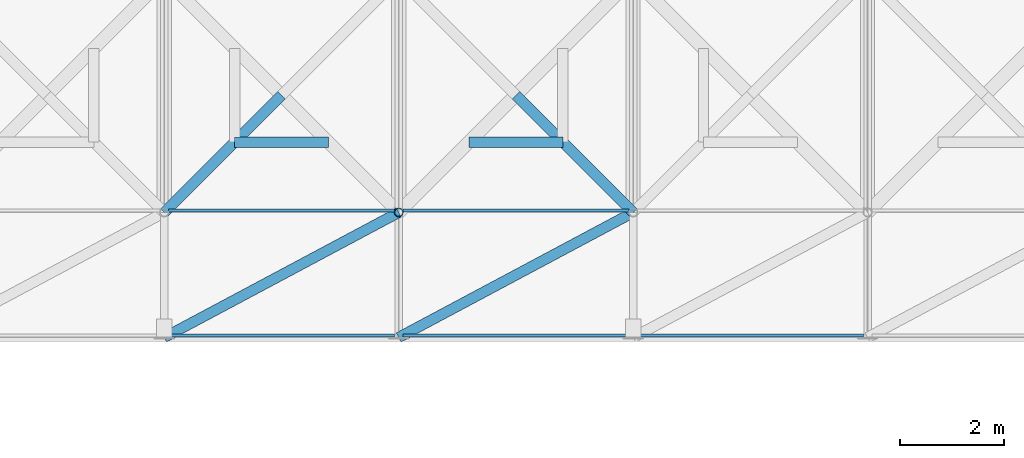
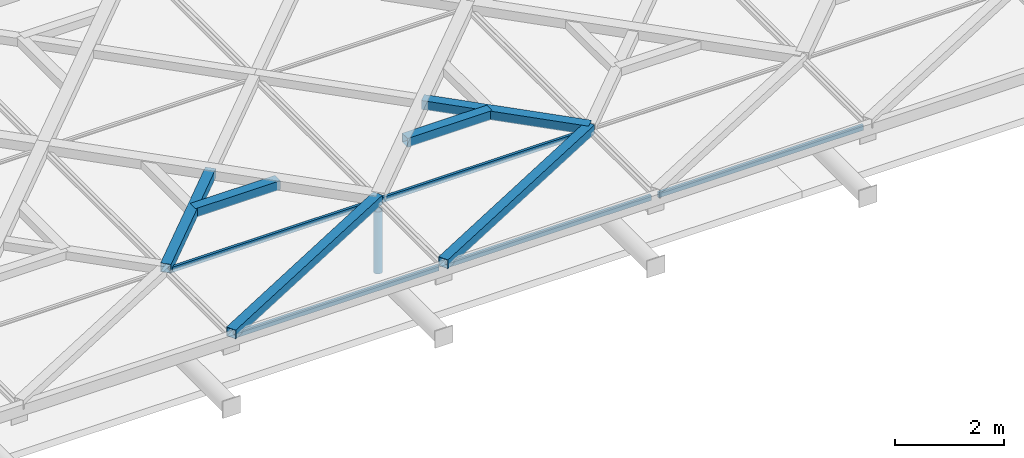
# One storey, part 17 of 80: 12 members, 3 elements without a shape of their own.
"""IFC4 building model written with IfcOpenShell, lengths in metres."""

from ifc_helpers import new_model, si_unit, direction, frame, origin, origin_2d, place, context, subcontext, project, spatial, rectangle, hollow_rectangle, hollow_circle, extrude, material, material_profile, profile_set, type_object, element, aggregate, save


model = new_model("IFC4")

# Units and contexts
model_context = context("Model", 3, precision=1e-05, world=origin(), true_north=direction((0.0, 1.0)))
body_context = subcontext(model_context, "Body", "Model", "MODEL_VIEW")
ifc_project = project(units=[si_unit("LENGTHUNIT", "METRE"), si_unit("AREAUNIT", "SQUARE_METRE"), si_unit("VOLUMEUNIT", "CUBIC_METRE"), si_unit("PLANEANGLEUNIT", "RADIAN"), si_unit("MASSUNIT", "GRAM", prefix="KILO"), si_unit("THERMODYNAMICTEMPERATUREUNIT", "KELVIN"), si_unit("POWERUNIT", "WATT")], contexts=[model_context])

# Site, building, storey
site_placement = place(None, origin())
site = spatial("IfcSite", under=ifc_project, at=site_placement, CompositionType="ELEMENT")
building_placement = place(site_placement, origin())
building = spatial("IfcBuilding", under=site, at=building_placement, Name="Tallowbark Science Centre", CompositionType="ELEMENT")
storey_placement = place(building_placement, frame((0.0, 0.0, 25.949951171875)))
storey = spatial("IfcBuildingStorey", under=building, at=storey_placement, Name="ROOF", CompositionType="ELEMENT", Elevation=25.949951171875)

# Curtain wall, members
ifc_material_1 = material(Name="Blue-Tinted Laminated Low-E Skylight Glass", Category="glass")
curtain_wall_type = type_object("IfcCurtainWallType", Name="CW-SKY-ROOF", PredefinedType="NOTDEFINED", material=ifc_material_1)
curtain_wall_1_placement = place(storey_placement, origin())
curtain_wall_1 = element("IfcCurtainWall", 1, at=curtain_wall_1_placement, inside=storey, type_object=curtain_wall_type, Name="Exhibition Star-Screen Skylight Bay 4", PredefinedType="NOTDEFINED")
ifc_material_2 = material(Name="Anodised Architectural Aluminium Alloy 6063-T6", Category="aluminium")
ifc_material_profile_1 = material_profile(ifc_material_2, rectangle(XDim=0.054931640625, YDim=0.1201171875, at=origin_2d()), Name="ALU55x120")
ifc_profile_set_1 = profile_set([ifc_material_profile_1], Name="Anodised Architectural Aluminium Alloy 6063-T6")
member_type_1 = type_object("IfcMemberType", Name="CWM-SKY-TRN", PredefinedType="USERDEFINED", material=ifc_profile_set_1)
member_1_placement = place(storey_placement, frame((67.580078125, 2.139892578125, 0.35205078125), z_axis=(1.0, 0.0, 0.0), x_axis=(0.0, 1.0, 0.0)))
member_1 = element("IfcMember", 2, at=member_1_placement, type_object=member_type_1, Name="Skylight Bay 4 Transom 1", ObjectType="TRANSOM", PredefinedType="USERDEFINED", context=body_context, shape_type="SweptSolid", body=[
    extrude(rectangle(XDim=0.054931640625, YDim=0.1201171875, at=origin_2d()), origin(), (0.0, 0.0, 1.0), 4.33984375),
])
member_2_placement = place(storey_placement, frame((67.580078125, 4.5400390625, 0.35205078125), z_axis=(1.0, 0.0, 0.0), x_axis=(0.0, 1.0, 0.0)))
member_2 = element("IfcMember", 3, at=member_2_placement, type_object=member_type_1, Name="Skylight Bay 4 Transom 2", ObjectType="TRANSOM", PredefinedType="USERDEFINED", context=body_context, shape_type="SweptSolid", body=[
    extrude(rectangle(XDim=0.054931640625, YDim=0.1201171875, at=origin_2d()), origin(), (0.0, 0.0, 1.0), 4.33984375),
])
aggregate(curtain_wall_1, [member_1, member_2])

curtain_wall_2_placement = place(storey_placement, origin())
curtain_wall_2 = element("IfcCurtainWall", 4, at=curtain_wall_2_placement, inside=storey, type_object=curtain_wall_type, Name="Exhibition Star-Screen Skylight Bay 5", PredefinedType="NOTDEFINED")
member_3_placement = place(storey_placement, frame((72.080078125, 2.139892578125, 0.35205078125), z_axis=(1.0, 0.0, 0.0), x_axis=(0.0, 1.0, 0.0)))
member_3 = element("IfcMember", 5, at=member_3_placement, type_object=member_type_1, Name="Skylight Bay 5 Transom 1", ObjectType="TRANSOM", PredefinedType="USERDEFINED", context=body_context, shape_type="SweptSolid", body=[
    extrude(rectangle(XDim=0.054931640625, YDim=0.1201171875, at=origin_2d()), origin(), (0.0, 0.0, 1.0), 4.33984375),
])
member_4_placement = place(storey_placement, frame((72.080078125, 4.5400390625, 0.35205078125), z_axis=(1.0, 0.0, 0.0), x_axis=(0.0, 1.0, 0.0)))
member_4 = element("IfcMember", 6, at=member_4_placement, type_object=member_type_1, Name="Skylight Bay 5 Transom 2", ObjectType="TRANSOM", PredefinedType="USERDEFINED", context=body_context, shape_type="SweptSolid", body=[
    extrude(rectangle(XDim=0.054931640625, YDim=0.1201171875, at=origin_2d()), origin(), (0.0, 0.0, 1.0), 4.33984375),
])
aggregate(curtain_wall_2, [member_3, member_4])

# Curtain wall, member
curtain_wall_3_placement = place(storey_placement, origin())
curtain_wall_3 = element("IfcCurtainWall", 7, at=curtain_wall_3_placement, inside=storey, type_object=curtain_wall_type, Name="Exhibition Star-Screen Skylight Bay 6", PredefinedType="NOTDEFINED")
member_5_placement = place(storey_placement, frame((76.580078125, 2.139892578125, 0.35205078125), z_axis=(1.0, 0.0, 0.0), x_axis=(0.0, 1.0, 0.0)))
member_5 = element("IfcMember", 8, at=member_5_placement, type_object=member_type_1, Name="Skylight Bay 6 Transom 1", ObjectType="TRANSOM", PredefinedType="USERDEFINED", context=body_context, shape_type="SweptSolid", body=[
    extrude(rectangle(XDim=0.054931640625, YDim=0.1201171875, at=origin_2d()), origin(), (0.0, 0.0, 1.0), 4.33984375),
])
aggregate(curtain_wall_3, [member_5])

# Members
ifc_material_3 = material(Name="White Architectural Painted Steel Grade C350L0 (350 MPa)", Category="steel")
ifc_material_profile_2 = material_profile(ifc_material_3, hollow_rectangle(XDim=0.199951171875, YDim=0.199951171875, WallThickness=0.009033203125, at=origin_2d()), Name="200x200x9.0SHS")
ifc_profile_set_2 = profile_set([ifc_material_profile_2], Name="White Architectural Painted Steel Grade C350L0 (350 MPa)")
member_type_2 = type_object("IfcMemberType", Name="SCR-STAR139", PredefinedType="BRACE", material=ifc_profile_set_2)
for number, where, z_axis, x_axis, name in (
    (9, (67.5, 4.5, 0.449951171875), (0.707106781187, 0.707106781187, 0.0), (-0.707106781187, 0.707106781187, 0.0), "Star Screen Continuous X-Diagonal D1A TOP-58"),
    (10, (74.25, 6.75, 0.449951171875), (0.707106781187, -0.707106781187, 0.0), (0.707106781187, 0.707106781187, 0.0), "Star Screen Split X-Diagonal D2D TOP-58"),
):
    element("IfcMember", number, at=place(storey_placement, frame(where, z_axis=z_axis, x_axis=x_axis)), inside=storey, type_object=member_type_2, Name=name, PredefinedType="BRACE", context=body_context, shape_type="SweptSolid", body=[
        extrude(hollow_rectangle(XDim=0.199951171875, YDim=0.199951171875, WallThickness=0.009033203125, at=origin_2d()), origin(), (0.0, 0.0, 1.0), 3.181884765625),
    ])
for number, where, z_axis, x_axis, name in (
    (11, (67.5, 2.10009765625, 0.449951171875), (0.882360891967, 0.470573327259, 0.0), (-0.470573327259, 0.882360891967, 0.0), "Top Perimeter Gap Star Diagonal 4-1"),
    (12, (72.0, 2.10009765625, 0.449951171875), (0.882360891967, 0.470573327259, 0.0), (-0.470573327259, 0.882360891967, 0.0), "Top Perimeter Gap Star Diagonal 5-1"),
):
    element("IfcMember", number, at=place(storey_placement, frame(where, z_axis=z_axis, x_axis=x_axis)), inside=storey, type_object=member_type_2, Name=name, PredefinedType="BRACE", context=body_context, shape_type="SweptSolid", body=[
        extrude(hollow_rectangle(XDim=0.199951171875, YDim=0.199951171875, WallThickness=0.009033203125, at=origin_2d()), origin(), (0.0, 0.0, 1.0), 5.099853515625),
    ])
ifc_material_profile_3 = material_profile(ifc_material_3, hollow_rectangle(XDim=0.199951171875, YDim=0.199951171875, WallThickness=0.009033203125, at=origin_2d()), Name="200x200x9.0SHS")
ifc_profile_set_3 = profile_set([ifc_material_profile_3], Name="White Architectural Painted Steel Grade C350L0 (350 MPa)")
member_type_3 = type_object("IfcMemberType", Name="SCR-SUB150", PredefinedType="BRACE", material=ifc_profile_set_3)
for number, where, z_axis, x_axis, name in (
    (13, (68.85009765625, 5.85009765625, 0.449951171875), (1.0, 0.0, 0.0), (0.0, 1.0, 0.0), "Star Screen Octagram Point Ray TOP-58-1"),
    (14, (75.14990234375, 5.85009765625, 0.449951171875), (-1.0, 0.0, 0.0), (0.0, -1.0, 0.0), "Star Screen Octagram Point Ray TOP-58-3"),
):
    element("IfcMember", number, at=place(storey_placement, frame(where, z_axis=z_axis, x_axis=x_axis)), inside=storey, type_object=member_type_3, Name=name, PredefinedType="BRACE", context=body_context, shape_type="SweptSolid", body=[
        extrude(hollow_rectangle(XDim=0.199951171875, YDim=0.199951171875, WallThickness=0.009033203125, at=origin_2d()), origin(), (0.0, 0.0, 1.0), 1.7998046875),
    ])
ifc_material_profile_4 = material_profile(ifc_material_3, hollow_circle(Radius=0.084228515625, WallThickness=0.007080078125, at=origin_2d()), Name="168.3x7.1CHS")
ifc_profile_set_4 = profile_set([ifc_material_profile_4], Name="White Architectural Painted Steel Grade C350L0 (350 MPa)")
member_type_4 = type_object("IfcMemberType", Name="TR-WEB168", PredefinedType="BRACE", material=ifc_profile_set_4)
member_6_placement = place(storey_placement, frame((72.0, 4.5, -1.199951171875), z_axis=(0.0, 0.0, 1.0), x_axis=(1.0, 0.0, 0.0)))
element("IfcMember", 15, at=member_6_placement, inside=storey, type_object=member_type_4, Name="Exhibition Roof Truss Web 4-4.5", PredefinedType="BRACE", context=body_context, shape_type="SweptSolid", body=[
    extrude(hollow_circle(Radius=0.084228515625, WallThickness=0.007080078125, at=origin_2d()), origin(), (0.0, 0.0, 1.0), 1.389892578125),
])

save(model, "model.ifc")
